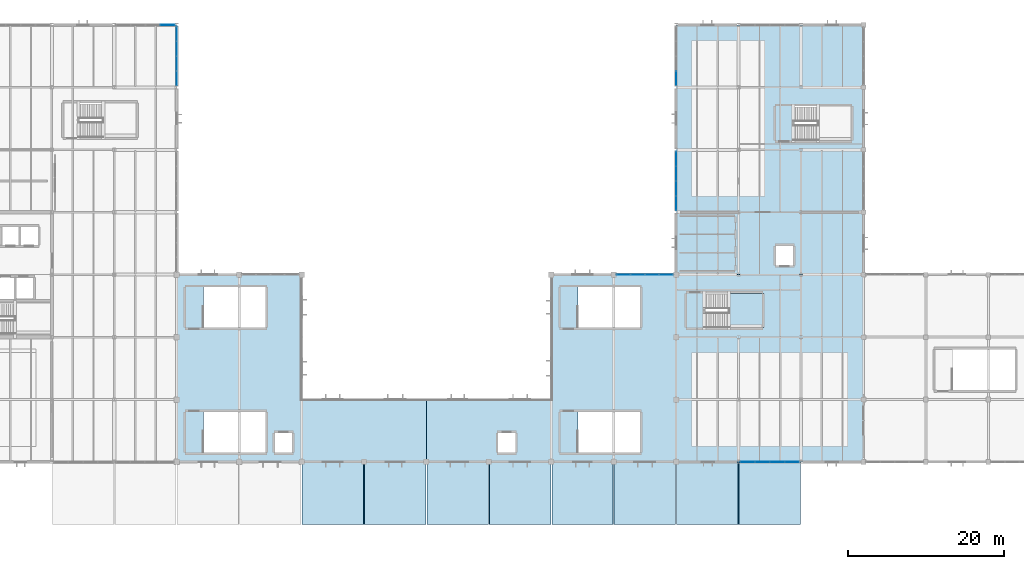
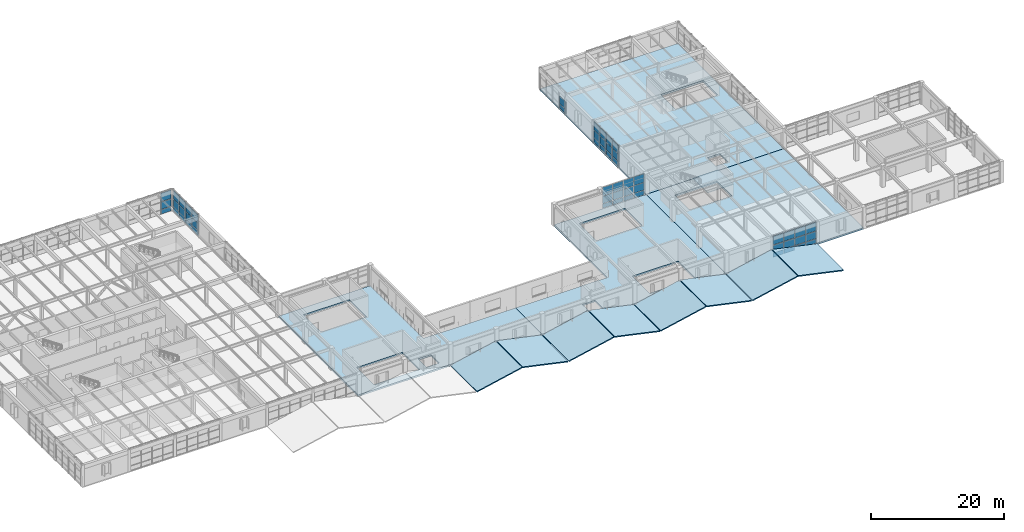
# One storey, part 32 of 48: 53 plates, 13 slabs, 7 elements without a shape of their own.
"""IFC4 building model written with IfcOpenShell, lengths in metres."""

from ifc_helpers import new_model, si_unit, direction, frame, origin, origin_2d, place, context, subcontext, project, spatial, polyline, rectangle, outline, extrude, material, layer, layer_set, type_object, element, aggregate, save


model = new_model("IFC4")

# Units and contexts
model_context = context("Model", 3, precision=1e-05, world=origin(), true_north=direction((0.0, 1.0)))
body_context = subcontext(model_context, "Body", "Model", "MODEL_VIEW")
ifc_project = project(units=[si_unit("LENGTHUNIT", "METRE"), si_unit("AREAUNIT", "SQUARE_METRE"), si_unit("VOLUMEUNIT", "CUBIC_METRE"), si_unit("PLANEANGLEUNIT", "RADIAN"), si_unit("MASSUNIT", "GRAM", prefix="KILO")], contexts=[model_context])

# Site, building, storey
site_placement = place(None, origin())
site = spatial("IfcSite", under=ifc_project, at=site_placement, CompositionType="ELEMENT")
building_placement = place(site_placement, origin())
building = spatial("IfcBuilding", under=site, at=building_placement, Name="Varnela Railside Interchange", CompositionType="ELEMENT")
storey_placement = place(building_placement, frame((0.0, 0.0, 11.199951171875)))
storey = spatial("IfcBuildingStorey", under=building, at=storey_placement, Name="L02", CompositionType="ELEMENT", Elevation=11.199951171875)

# Curtain wall, plates
ifc_material_1 = material(Name="Aluminium 6063-T6", Category="aluminium")
ifc_layer_1 = layer(ifc_material_1, 0.035888671875)
ifc_layer_set_1 = layer_set([ifc_layer_1], Name="Aluminium 6063-T6")
curtain_wall_type_1 = type_object("IfcCurtainWallType", Name="Operations Wing Facade Curtain Wall CW-03", PredefinedType="USERDEFINED", material=ifc_layer_set_1)
curtain_wall_1_placement = place(storey_placement, origin())
curtain_wall_1 = element("IfcCurtainWall", 1, at=curtain_wall_1_placement, inside=storey, type_object=curtain_wall_type_1, Name="Curtain Wall CW-03 (L02) (CW-048)", ObjectType="CURTAIN WALL", PredefinedType="USERDEFINED")
ifc_material_2 = material(Name="Glass laminated double", Category="glass")
ifc_layer_2 = layer(ifc_material_2, 0.0400390625)
ifc_layer_set_2 = layer_set([ifc_layer_2], Name="Glass laminated double")
plate_type_1 = type_object("IfcPlateType", Name="Acoustic Laminated Vision GL-03", PredefinedType="CURTAIN_PANEL", material=ifc_layer_set_2)
plate_1_placement = place(storey_placement, frame((50.837158203125, 94.0, 0.06005859375), z_axis=(0.0, 0.0, 1.0), x_axis=(1.0, 0.0, 0.0)))
plate_1 = element("IfcPlate", 2, at=plate_1_placement, type_object=plate_type_1, Name="CW-03 panel 4.1", PredefinedType="CURTAIN_PANEL", context=body_context, shape_type="SweptSolid", body=[
    extrude(rectangle(XDim=1.8115234375, YDim=0.0400390625, at=origin_2d()), origin(), (0.0, 0.0, 1.0), 0.81005859375),
])
plate_2_placement = place(storey_placement, frame((50.837158203125, 94.0, 0.93017578125), z_axis=(0.0, 0.0, 1.0), x_axis=(1.0, 0.0, 0.0)))
plate_2 = element("IfcPlate", 3, at=plate_2_placement, type_object=plate_type_1, Name="CW-03 panel 4.2", PredefinedType="CURTAIN_PANEL", context=body_context, shape_type="SweptSolid", body=[
    extrude(rectangle(XDim=1.8115234375, YDim=0.0400390625, at=origin_2d()), origin(), (0.0, 0.0, 1.0), 1.360107421875),
])
plate_3_placement = place(storey_placement, frame((50.837158203125, 94.0, 2.35009765625), z_axis=(0.0, 0.0, 1.0), x_axis=(1.0, 0.0, 0.0)))
plate_3 = element("IfcPlate", 4, at=plate_3_placement, type_object=plate_type_1, Name="CW-03 panel 4.3", PredefinedType="CURTAIN_PANEL", context=body_context, shape_type="SweptSolid", body=[
    extrude(rectangle(XDim=1.8115234375, YDim=0.0400390625, at=origin_2d()), origin(), (0.0, 0.0, 1.0), 1.590087890625),
])
aggregate(curtain_wall_1, [plate_1, plate_2, plate_3])

curtain_wall_2_placement = place(storey_placement, origin())
curtain_wall_2 = element("IfcCurtainWall", 5, at=curtain_wall_2_placement, inside=storey, type_object=curtain_wall_type_1, Name="Curtain Wall CW-03 (L02) (CW-049)", ObjectType="CURTAIN WALL", PredefinedType="USERDEFINED")
plate_4_placement = place(storey_placement, frame((52.0, 92.844482421875, 0.06005859375), z_axis=(0.0, 0.0, 1.0), x_axis=(0.0, -1.0, 0.0)))
plate_4 = element("IfcPlate", 6, at=plate_4_placement, type_object=plate_type_1, Name="CW-03 panel 1.1", PredefinedType="CURTAIN_PANEL", context=body_context, shape_type="SweptSolid", body=[
    extrude(rectangle(XDim=1.816162109375, YDim=0.0400390625, at=origin_2d()), origin(), (0.0, 0.0, 1.0), 0.81005859375),
])
plate_5_placement = place(storey_placement, frame((52.0, 92.844482421875, 0.93017578125), z_axis=(0.0, 0.0, 1.0), x_axis=(0.0, -1.0, 0.0)))
plate_5 = element("IfcPlate", 7, at=plate_5_placement, type_object=plate_type_1, Name="CW-03 panel 1.2", PredefinedType="CURTAIN_PANEL", context=body_context, shape_type="SweptSolid", body=[
    extrude(rectangle(XDim=1.816162109375, YDim=0.0400390625, at=origin_2d()), origin(), (0.0, 0.0, 1.0), 1.360107421875),
])
plate_6_placement = place(storey_placement, frame((52.0, 92.844482421875, 2.35009765625), z_axis=(0.0, 0.0, 1.0), x_axis=(0.0, -1.0, 0.0)))
plate_6 = element("IfcPlate", 8, at=plate_6_placement, type_object=plate_type_1, Name="CW-03 panel 1.3", PredefinedType="CURTAIN_PANEL", context=body_context, shape_type="SweptSolid", body=[
    extrude(rectangle(XDim=1.816162109375, YDim=0.0400390625, at=origin_2d()), origin(), (0.0, 0.0, 1.0), 1.590087890625),
])
plate_7_placement = place(storey_placement, frame((52.0, 90.953125, 0.06005859375), z_axis=(0.0, 0.0, 1.0), x_axis=(0.0, -1.0, 0.0)))
plate_7 = element("IfcPlate", 9, at=plate_7_placement, type_object=plate_type_1, Name="CW-03 panel 2.1", PredefinedType="CURTAIN_PANEL", context=body_context, shape_type="SweptSolid", body=[
    extrude(rectangle(XDim=1.84619140625, YDim=0.0400390625, at=origin_2d()), origin(), (0.0, 0.0, 1.0), 0.81005859375),
])
plate_8_placement = place(storey_placement, frame((52.0, 90.953125, 0.93017578125), z_axis=(0.0, 0.0, 1.0), x_axis=(0.0, -1.0, 0.0)))
plate_8 = element("IfcPlate", 10, at=plate_8_placement, type_object=plate_type_1, Name="CW-03 panel 2.2", PredefinedType="CURTAIN_PANEL", context=body_context, shape_type="SweptSolid", body=[
    extrude(rectangle(XDim=1.84619140625, YDim=0.0400390625, at=origin_2d()), origin(), (0.0, 0.0, 1.0), 1.360107421875),
])
plate_9_placement = place(storey_placement, frame((52.0, 90.953125, 2.35009765625), z_axis=(0.0, 0.0, 1.0), x_axis=(0.0, -1.0, 0.0)))
plate_9 = element("IfcPlate", 11, at=plate_9_placement, type_object=plate_type_1, Name="CW-03 panel 2.3", PredefinedType="CURTAIN_PANEL", context=body_context, shape_type="SweptSolid", body=[
    extrude(rectangle(XDim=1.84619140625, YDim=0.0400390625, at=origin_2d()), origin(), (0.0, 0.0, 1.0), 1.590087890625),
])
plate_10_placement = place(storey_placement, frame((52.0, 89.046875, 0.06005859375), z_axis=(0.0, 0.0, 1.0), x_axis=(0.0, -1.0, 0.0)))
plate_10 = element("IfcPlate", 12, at=plate_10_placement, type_object=plate_type_1, Name="CW-03 panel 3.1", PredefinedType="CURTAIN_PANEL", context=body_context, shape_type="SweptSolid", body=[
    extrude(rectangle(XDim=1.84619140625, YDim=0.0400390625, at=origin_2d()), origin(), (0.0, 0.0, 1.0), 0.81005859375),
])
plate_11_placement = place(storey_placement, frame((52.0, 89.046875, 0.93017578125), z_axis=(0.0, 0.0, 1.0), x_axis=(0.0, -1.0, 0.0)))
plate_11 = element("IfcPlate", 13, at=plate_11_placement, type_object=plate_type_1, Name="CW-03 panel 3.2", PredefinedType="CURTAIN_PANEL", context=body_context, shape_type="SweptSolid", body=[
    extrude(rectangle(XDim=1.84619140625, YDim=0.0400390625, at=origin_2d()), origin(), (0.0, 0.0, 1.0), 1.360107421875),
])
plate_12_placement = place(storey_placement, frame((52.0, 89.046875, 2.35009765625), z_axis=(0.0, 0.0, 1.0), x_axis=(0.0, -1.0, 0.0)))
plate_12 = element("IfcPlate", 14, at=plate_12_placement, type_object=plate_type_1, Name="CW-03 panel 3.3", PredefinedType="CURTAIN_PANEL", context=body_context, shape_type="SweptSolid", body=[
    extrude(rectangle(XDim=1.84619140625, YDim=0.0400390625, at=origin_2d()), origin(), (0.0, 0.0, 1.0), 1.590087890625),
])
plate_13_placement = place(storey_placement, frame((52.0, 87.155517578125, 0.06005859375), z_axis=(0.0, 0.0, 1.0), x_axis=(0.0, -1.0, 0.0)))
plate_13 = element("IfcPlate", 15, at=plate_13_placement, type_object=plate_type_1, Name="CW-03 panel 4.1", PredefinedType="CURTAIN_PANEL", context=body_context, shape_type="SweptSolid", body=[
    extrude(rectangle(XDim=1.816162109375, YDim=0.0400390625, at=origin_2d()), origin(), (0.0, 0.0, 1.0), 0.81005859375),
])
plate_14_placement = place(storey_placement, frame((52.0, 87.155517578125, 0.93017578125), z_axis=(0.0, 0.0, 1.0), x_axis=(0.0, -1.0, 0.0)))
plate_14 = element("IfcPlate", 16, at=plate_14_placement, type_object=plate_type_1, Name="CW-03 panel 4.2", PredefinedType="CURTAIN_PANEL", context=body_context, shape_type="SweptSolid", body=[
    extrude(rectangle(XDim=1.816162109375, YDim=0.0400390625, at=origin_2d()), origin(), (0.0, 0.0, 1.0), 1.360107421875),
])
plate_15_placement = place(storey_placement, frame((52.0, 87.155517578125, 2.35009765625), z_axis=(0.0, 0.0, 1.0), x_axis=(0.0, -1.0, 0.0)))
plate_15 = element("IfcPlate", 17, at=plate_15_placement, type_object=plate_type_1, Name="CW-03 panel 4.3", PredefinedType="CURTAIN_PANEL", context=body_context, shape_type="SweptSolid", body=[
    extrude(rectangle(XDim=1.816162109375, YDim=0.0400390625, at=origin_2d()), origin(), (0.0, 0.0, 1.0), 1.590087890625),
])
aggregate(curtain_wall_2, [plate_4, plate_5, plate_6, plate_7, plate_8, plate_9, plate_10, plate_11, plate_12, plate_13, plate_14, plate_15])

# Slabs
ifc_material_3 = material(Name="Concrete C40", Category="concrete")
ifc_layer_3 = layer(ifc_material_3, 0.300048828125)
ifc_layer_set_3 = layer_set([ifc_layer_3], Name="Concrete C40")
slab_type_1 = type_object("IfcSlabType", Name="Auditorium & Concourse Slab SL-L02", PredefinedType="FLOOR", material=ifc_layer_set_3)
slab_1_placement = place(storey_placement, frame((0.0, 0.0, -0.300048828125)))
element("IfcSlab", 18, at=slab_1_placement, inside=storey, type_object=slab_type_1, Name="Auditorium & Concourse Slab SL-L02 (L02) (SL-0129)", PredefinedType="FLOOR", context=body_context, shape_type="SweptSolid", body=[
    extrude(outline(polyline([(52.0, 38.0), (84.0, 38.0), (84.0, 46.0), (68.0, 46.0), (68.0, 62.0), (52.0, 62.0), (52.0, 38.0)]), holes=[polyline([(55.429931640625, 39.199951171875), (63.39990234375, 39.199951171875), (63.39990234375, 44.39990234375), (55.429931640625, 44.39990234375), (55.429931640625, 39.199951171875)]), polyline([(55.429931640625, 55.199951171875), (63.39990234375, 55.199951171875), (63.39990234375, 60.39990234375), (55.429931640625, 60.39990234375), (55.429931640625, 55.199951171875)]), polyline([(64.60009765625, 39.199951171875), (66.800048828125, 39.199951171875), (66.800048828125, 41.699951171875), (64.60009765625, 41.699951171875), (64.60009765625, 39.199951171875)])]), origin(), (0.0, 0.0, 1.0), 0.300048828125),
])
slab_2_placement = place(storey_placement, frame((0.0, 0.0, -0.300048828125)))
element("IfcSlab", 19, at=slab_2_placement, inside=storey, type_object=slab_type_1, Name="Auditorium & Concourse Slab SL-L02 (L02) (SL-0130)", PredefinedType="FLOOR", context=body_context, shape_type="SweptSolid", body=[
    extrude(outline(polyline([(84.0, 38.0), (116.0, 38.0), (116.0, 62.0), (100.0, 62.0), (100.0, 46.0), (84.0, 46.0), (84.0, 38.0)]), holes=[polyline([(103.429931640625, 39.199951171875), (111.39990234375, 39.199951171875), (111.39990234375, 44.39990234375), (103.429931640625, 44.39990234375), (103.429931640625, 39.199951171875)]), polyline([(103.429931640625, 55.199951171875), (111.39990234375, 55.199951171875), (111.39990234375, 60.39990234375), (103.429931640625, 60.39990234375), (103.429931640625, 55.199951171875)]), polyline([(93.199951171875, 39.199951171875), (95.39990234375, 39.199951171875), (95.39990234375, 41.699951171875), (93.199951171875, 41.699951171875), (93.199951171875, 39.199951171875)])]), origin(), (0.0, 0.0, 1.0), 0.300048828125),
])
slab_3_placement = place(storey_placement, frame((0.0, 0.0, -0.300048828125)))
element("IfcSlab", 20, at=slab_3_placement, inside=storey, type_object=slab_type_1, Name="Auditorium & Concourse Slab SL-L02 (L02) (SL-0132)", PredefinedType="FLOOR", context=body_context, shape_type="SweptSolid", body=[
    extrude(outline(polyline([(116.0, 38.0), (140.0, 38.0), (140.0, 62.0), (116.0, 62.0), (116.0, 38.0)]), holes=[polyline([(119.6298828125, 55.199951171875), (127.0, 55.199951171875), (127.0, 59.60009765625), (119.6298828125, 59.60009765625), (119.6298828125, 55.199951171875)])]), origin(), (0.0, 0.0, 1.0), 0.300048828125),
])
slab_4_placement = place(storey_placement, frame((0.0, 0.0, -0.300048828125)))
element("IfcSlab", 21, at=slab_4_placement, inside=storey, type_object=slab_type_1, Name="Auditorium & Concourse Slab SL-L02 (L02) (SL-0133)", PredefinedType="FLOOR", context=body_context, shape_type="SweptSolid", body=[
    extrude(outline(polyline([(116.0, 62.0), (140.0, 62.0), (140.0, 94.0), (116.0, 94.0), (116.0, 62.0)]), holes=[polyline([(131.030029296875, 79.199951171875), (138.39990234375, 79.199951171875), (138.39990234375, 83.60009765625), (131.030029296875, 83.60009765625), (131.030029296875, 79.199951171875)]), polyline([(128.800048828125, 63.199951171875), (131.0, 63.199951171875), (131.0, 65.699951171875), (128.800048828125, 65.699951171875), (128.800048828125, 63.199951171875)])]), origin(), (0.0, 0.0, 1.0), 0.300048828125),
])
ifc_layer_4 = layer(ifc_material_3, 0.18994140625)
ifc_layer_set_4 = layer_set([ifc_layer_4], Name="Concrete C40")
slab_type_2 = type_object("IfcSlabType", Name="Folded-Plate Bus End Canopy Shell CS-02", PredefinedType="ROOF", material=ifc_layer_set_4)
for number, where, z_axis, x_axis, name in (
    (22, (68.06005859375, 30.0, -0.10498046875), (-0.211489165579, 0.0, 0.977380341956), (0.977380341956, 0.0, 0.211489165579), "Folded-Plate Bus End Canopy Shell CS-02 (L02) (SL-0140)"),
    (23, (76.06005859375, 30.0, 1.60009765625), (0.211489165579, 0.0, 0.977380341956), (0.977380341956, 0.0, -0.211489165579), "Folded-Plate Bus End Canopy Shell CS-02 (L02) (SL-0141)"),
    (24, (84.06005859375, 30.0, -0.10498046875), (-0.211489165579, 0.0, 0.977380341956), (0.977380341956, 0.0, 0.211489165579), "Folded-Plate Bus End Canopy Shell CS-02 (L02) (SL-0142)"),
    (25, (92.06005859375, 30.0, 1.60009765625), (0.211489165579, 0.0, 0.977380341956), (0.977380341956, 0.0, -0.211489165579), "Folded-Plate Bus End Canopy Shell CS-02 (L02) (SL-0143)"),
    (26, (100.06005859375, 30.0, -0.10498046875), (-0.211489165579, 0.0, 0.977380341956), (0.977380341956, 0.0, 0.211489165579), "Folded-Plate Bus End Canopy Shell CS-02 (L02) (SL-0144)"),
    (27, (108.06005859375, 30.0, 1.60009765625), (0.211489165579, 0.0, 0.977380341956), (0.977380341956, 0.0, -0.211489165579), "Folded-Plate Bus End Canopy Shell CS-02 (L02) (SL-0145)"),
    (28, (116.06005859375, 30.0, -0.10498046875), (-0.211489165579, 0.0, 0.977380341956), (0.977380341956, 0.0, 0.211489165579), "Folded-Plate Bus End Canopy Shell CS-02 (L02) (SL-0146)"),
    (29, (124.06005859375, 30.0, 1.60009765625), (0.211489165579, 0.0, 0.977380341956), (0.977380341956, 0.0, -0.211489165579), "Folded-Plate Bus End Canopy Shell CS-02 (L02) (SL-0147)"),
):
    element("IfcSlab", number, at=place(storey_placement, frame(where, z_axis=z_axis, x_axis=x_axis)), inside=storey, type_object=slab_type_2, Name=name, PredefinedType="ROOF", context=body_context, shape_type="SweptSolid", body=[
        extrude(outline(polyline([(0.0, 0.0), (8.062248107760418, 0.0), (8.062248107760418, 8.0), (0.0, 8.0), (0.0, 0.0)])), origin(), (0.0, 0.0, -1.0), 0.18994140625),
    ])

# Curtain wall, plates
ifc_layer_5 = layer(ifc_material_1, 0.035888671875)
ifc_layer_set_5 = layer_set([ifc_layer_5], Name="Aluminium 6063-T6")
curtain_wall_type_2 = type_object("IfcCurtainWallType", Name="Concourse Triple-Height Curtain Wall CW-01", PredefinedType="USERDEFINED", material=ifc_layer_set_5)
curtain_wall_3_placement = place(storey_placement, origin())
curtain_wall_3 = element("IfcCurtainWall", 30, at=curtain_wall_3_placement, inside=storey, type_object=curtain_wall_type_2, Name="Curtain Wall CW-01 (L02) (CW-054)", ObjectType="CURTAIN WALL", PredefinedType="USERDEFINED")
ifc_layer_6 = layer(ifc_material_2, 0.02001953125)
ifc_layer_set_6 = layer_set([ifc_layer_6], Name="Glass laminated double")
plate_type_2 = type_object("IfcPlateType", Name="Low-E Vision Glazing Panel GL-01", PredefinedType="CURTAIN_PANEL", material=ifc_layer_set_6)
plate_16_placement = place(storey_placement, frame((109.27880859375, 62.0, 0.06494140625), z_axis=(0.0, 0.0, 1.0), x_axis=(1.0, 0.0, 0.0)))
plate_16 = element("IfcPlate", 31, at=plate_16_placement, type_object=plate_type_2, Name="CW-01 panel 1.1", PredefinedType="CURTAIN_PANEL", context=body_context, shape_type="SweptSolid", body=[
    extrude(rectangle(XDim=1.7275390625, YDim=0.02001953125, at=origin_2d()), origin(), (0.0, 0.0, 1.0), 0.802490234375),
])
plate_17_placement = place(storey_placement, frame((109.27880859375, 62.0, 0.9326171875), z_axis=(0.0, 0.0, 1.0), x_axis=(1.0, 0.0, 0.0)))
plate_17 = element("IfcPlate", 32, at=plate_17_placement, type_object=plate_type_2, Name="CW-01 panel 1.2", PredefinedType="CURTAIN_PANEL", context=body_context, shape_type="SweptSolid", body=[
    extrude(rectangle(XDim=1.7275390625, YDim=0.02001953125, at=origin_2d()), origin(), (0.0, 0.0, 1.0), 1.35498046875),
])
plate_18_placement = place(storey_placement, frame((109.27880859375, 62.0, 2.3525390625), z_axis=(0.0, 0.0, 1.0), x_axis=(1.0, 0.0, 0.0)))
plate_18 = element("IfcPlate", 33, at=plate_18_placement, type_object=plate_type_2, Name="CW-01 panel 1.3", PredefinedType="CURTAIN_PANEL", context=body_context, shape_type="SweptSolid", body=[
    extrude(rectangle(XDim=1.7275390625, YDim=0.02001953125, at=origin_2d()), origin(), (0.0, 0.0, 1.0), 1.58251953125),
])
plate_19_placement = place(storey_placement, frame((111.08740234375, 62.0, 0.06494140625), z_axis=(0.0, 0.0, 1.0), x_axis=(1.0, 0.0, 0.0)))
plate_19 = element("IfcPlate", 34, at=plate_19_placement, type_object=plate_type_2, Name="CW-01 panel 2.1", PredefinedType="CURTAIN_PANEL", context=body_context, shape_type="SweptSolid", body=[
    extrude(rectangle(XDim=1.760009765625, YDim=0.02001953125, at=origin_2d()), origin(), (0.0, 0.0, 1.0), 0.802490234375),
])
plate_20_placement = place(storey_placement, frame((111.08740234375, 62.0, 0.9326171875), z_axis=(0.0, 0.0, 1.0), x_axis=(1.0, 0.0, 0.0)))
plate_20 = element("IfcPlate", 35, at=plate_20_placement, type_object=plate_type_2, Name="CW-01 panel 2.2", PredefinedType="CURTAIN_PANEL", context=body_context, shape_type="SweptSolid", body=[
    extrude(rectangle(XDim=1.760009765625, YDim=0.02001953125, at=origin_2d()), origin(), (0.0, 0.0, 1.0), 1.35498046875),
])
plate_21_placement = place(storey_placement, frame((111.08740234375, 62.0, 2.3525390625), z_axis=(0.0, 0.0, 1.0), x_axis=(1.0, 0.0, 0.0)))
plate_21 = element("IfcPlate", 36, at=plate_21_placement, type_object=plate_type_2, Name="CW-01 panel 2.3", PredefinedType="CURTAIN_PANEL", context=body_context, shape_type="SweptSolid", body=[
    extrude(rectangle(XDim=1.760009765625, YDim=0.02001953125, at=origin_2d()), origin(), (0.0, 0.0, 1.0), 1.58251953125),
])
plate_22_placement = place(storey_placement, frame((112.91259765625, 62.0, 0.06494140625), z_axis=(0.0, 0.0, 1.0), x_axis=(1.0, 0.0, 0.0)))
plate_22 = element("IfcPlate", 37, at=plate_22_placement, type_object=plate_type_2, Name="CW-01 panel 3.1", PredefinedType="CURTAIN_PANEL", context=body_context, shape_type="SweptSolid", body=[
    extrude(rectangle(XDim=1.760009765625, YDim=0.02001953125, at=origin_2d()), origin(), (0.0, 0.0, 1.0), 0.802490234375),
])
plate_23_placement = place(storey_placement, frame((112.91259765625, 62.0, 0.9326171875), z_axis=(0.0, 0.0, 1.0), x_axis=(1.0, 0.0, 0.0)))
plate_23 = element("IfcPlate", 38, at=plate_23_placement, type_object=plate_type_2, Name="CW-01 panel 3.2", PredefinedType="CURTAIN_PANEL", context=body_context, shape_type="SweptSolid", body=[
    extrude(rectangle(XDim=1.760009765625, YDim=0.02001953125, at=origin_2d()), origin(), (0.0, 0.0, 1.0), 1.35498046875),
])
plate_24_placement = place(storey_placement, frame((112.91259765625, 62.0, 2.3525390625), z_axis=(0.0, 0.0, 1.0), x_axis=(1.0, 0.0, 0.0)))
plate_24 = element("IfcPlate", 39, at=plate_24_placement, type_object=plate_type_2, Name="CW-01 panel 3.3", PredefinedType="CURTAIN_PANEL", context=body_context, shape_type="SweptSolid", body=[
    extrude(rectangle(XDim=1.760009765625, YDim=0.02001953125, at=origin_2d()), origin(), (0.0, 0.0, 1.0), 1.58251953125),
])
plate_25_placement = place(storey_placement, frame((114.72119140625, 62.0, 0.06494140625), z_axis=(0.0, 0.0, 1.0), x_axis=(1.0, 0.0, 0.0)))
plate_25 = element("IfcPlate", 40, at=plate_25_placement, type_object=plate_type_2, Name="CW-01 panel 4.1", PredefinedType="CURTAIN_PANEL", context=body_context, shape_type="SweptSolid", body=[
    extrude(rectangle(XDim=1.7275390625, YDim=0.02001953125, at=origin_2d()), origin(), (0.0, 0.0, 1.0), 0.802490234375),
])
plate_26_placement = place(storey_placement, frame((114.72119140625, 62.0, 0.9326171875), z_axis=(0.0, 0.0, 1.0), x_axis=(1.0, 0.0, 0.0)))
plate_26 = element("IfcPlate", 41, at=plate_26_placement, type_object=plate_type_2, Name="CW-01 panel 4.2", PredefinedType="CURTAIN_PANEL", context=body_context, shape_type="SweptSolid", body=[
    extrude(rectangle(XDim=1.7275390625, YDim=0.02001953125, at=origin_2d()), origin(), (0.0, 0.0, 1.0), 1.35498046875),
])
plate_27_placement = place(storey_placement, frame((114.72119140625, 62.0, 2.3525390625), z_axis=(0.0, 0.0, 1.0), x_axis=(1.0, 0.0, 0.0)))
plate_27 = element("IfcPlate", 42, at=plate_27_placement, type_object=plate_type_2, Name="CW-01 panel 4.3", PredefinedType="CURTAIN_PANEL", context=body_context, shape_type="SweptSolid", body=[
    extrude(rectangle(XDim=1.7275390625, YDim=0.02001953125, at=origin_2d()), origin(), (0.0, 0.0, 1.0), 1.58251953125),
])
aggregate(curtain_wall_3, [plate_16, plate_17, plate_18, plate_19, plate_20, plate_21, plate_22, plate_23, plate_24, plate_25, plate_26, plate_27])

ifc_layer_7 = layer(ifc_material_1, 0.035888671875)
ifc_layer_set_7 = layer_set([ifc_layer_7], Name="Aluminium 6063-T6")
curtain_wall_type_3 = type_object("IfcCurtainWallType", Name="Study Pavilion Gallery Curtain Wall CW-02", PredefinedType="USERDEFINED", material=ifc_layer_set_7)
curtain_wall_4_placement = place(storey_placement, origin())
curtain_wall_4 = element("IfcCurtainWall", 43, at=curtain_wall_4_placement, inside=storey, type_object=curtain_wall_type_3, Name="Curtain Wall CW-02 (L02) (CW-055)", ObjectType="CURTAIN WALL", PredefinedType="USERDEFINED")
plate_28_placement = place(storey_placement, frame((116.0, 71.155517578125, 0.06005859375), z_axis=(0.0, 0.0, 1.0), x_axis=(0.0, 1.0, 0.0)))
plate_28 = element("IfcPlate", 44, at=plate_28_placement, type_object=plate_type_2, Name="CW-02 panel 1.1", PredefinedType="CURTAIN_PANEL", context=body_context, shape_type="SweptSolid", body=[
    extrude(rectangle(XDim=1.816162109375, YDim=0.02001953125, at=origin_2d()), origin(), (0.0, 0.0, 1.0), 0.81005859375),
])
plate_29_placement = place(storey_placement, frame((116.0, 71.155517578125, 0.93017578125), z_axis=(0.0, 0.0, 1.0), x_axis=(0.0, 1.0, 0.0)))
plate_29 = element("IfcPlate", 45, at=plate_29_placement, type_object=plate_type_2, Name="CW-02 panel 1.2", PredefinedType="CURTAIN_PANEL", context=body_context, shape_type="SweptSolid", body=[
    extrude(rectangle(XDim=1.816162109375, YDim=0.02001953125, at=origin_2d()), origin(), (0.0, 0.0, 1.0), 1.360107421875),
])
plate_30_placement = place(storey_placement, frame((116.0, 71.155517578125, 2.35009765625), z_axis=(0.0, 0.0, 1.0), x_axis=(0.0, 1.0, 0.0)))
plate_30 = element("IfcPlate", 46, at=plate_30_placement, type_object=plate_type_2, Name="CW-02 panel 1.3", PredefinedType="CURTAIN_PANEL", context=body_context, shape_type="SweptSolid", body=[
    extrude(rectangle(XDim=1.816162109375, YDim=0.02001953125, at=origin_2d()), origin(), (0.0, 0.0, 1.0), 1.590087890625),
])
plate_31_placement = place(storey_placement, frame((116.0, 73.046875, 0.06005859375), z_axis=(0.0, 0.0, 1.0), x_axis=(0.0, 1.0, 0.0)))
plate_31 = element("IfcPlate", 47, at=plate_31_placement, type_object=plate_type_2, Name="CW-02 panel 2.1", PredefinedType="CURTAIN_PANEL", context=body_context, shape_type="SweptSolid", body=[
    extrude(rectangle(XDim=1.84619140625, YDim=0.02001953125, at=origin_2d()), origin(), (0.0, 0.0, 1.0), 0.81005859375),
])
plate_32_placement = place(storey_placement, frame((116.0, 73.046875, 0.93017578125), z_axis=(0.0, 0.0, 1.0), x_axis=(0.0, 1.0, 0.0)))
plate_32 = element("IfcPlate", 48, at=plate_32_placement, type_object=plate_type_2, Name="CW-02 panel 2.2", PredefinedType="CURTAIN_PANEL", context=body_context, shape_type="SweptSolid", body=[
    extrude(rectangle(XDim=1.84619140625, YDim=0.02001953125, at=origin_2d()), origin(), (0.0, 0.0, 1.0), 1.360107421875),
])
plate_33_placement = place(storey_placement, frame((116.0, 73.046875, 2.35009765625), z_axis=(0.0, 0.0, 1.0), x_axis=(0.0, 1.0, 0.0)))
plate_33 = element("IfcPlate", 49, at=plate_33_placement, type_object=plate_type_2, Name="CW-02 panel 2.3", PredefinedType="CURTAIN_PANEL", context=body_context, shape_type="SweptSolid", body=[
    extrude(rectangle(XDim=1.84619140625, YDim=0.02001953125, at=origin_2d()), origin(), (0.0, 0.0, 1.0), 1.590087890625),
])
plate_34_placement = place(storey_placement, frame((116.0, 74.953125, 0.06005859375), z_axis=(0.0, 0.0, 1.0), x_axis=(0.0, 1.0, 0.0)))
plate_34 = element("IfcPlate", 50, at=plate_34_placement, type_object=plate_type_2, Name="CW-02 panel 3.1", PredefinedType="CURTAIN_PANEL", context=body_context, shape_type="SweptSolid", body=[
    extrude(rectangle(XDim=1.84619140625, YDim=0.02001953125, at=origin_2d()), origin(), (0.0, 0.0, 1.0), 0.81005859375),
])
plate_35_placement = place(storey_placement, frame((116.0, 74.953125, 0.93017578125), z_axis=(0.0, 0.0, 1.0), x_axis=(0.0, 1.0, 0.0)))
plate_35 = element("IfcPlate", 51, at=plate_35_placement, type_object=plate_type_2, Name="CW-02 panel 3.2", PredefinedType="CURTAIN_PANEL", context=body_context, shape_type="SweptSolid", body=[
    extrude(rectangle(XDim=1.84619140625, YDim=0.02001953125, at=origin_2d()), origin(), (0.0, 0.0, 1.0), 1.360107421875),
])
plate_36_placement = place(storey_placement, frame((116.0, 74.953125, 2.35009765625), z_axis=(0.0, 0.0, 1.0), x_axis=(0.0, 1.0, 0.0)))
plate_36 = element("IfcPlate", 52, at=plate_36_placement, type_object=plate_type_2, Name="CW-02 panel 3.3", PredefinedType="CURTAIN_PANEL", context=body_context, shape_type="SweptSolid", body=[
    extrude(rectangle(XDim=1.84619140625, YDim=0.02001953125, at=origin_2d()), origin(), (0.0, 0.0, 1.0), 1.590087890625),
])
plate_37_placement = place(storey_placement, frame((116.0, 76.844482421875, 0.06005859375), z_axis=(0.0, 0.0, 1.0), x_axis=(0.0, 1.0, 0.0)))
plate_37 = element("IfcPlate", 53, at=plate_37_placement, type_object=plate_type_2, Name="CW-02 panel 4.1", PredefinedType="CURTAIN_PANEL", context=body_context, shape_type="SweptSolid", body=[
    extrude(rectangle(XDim=1.816162109375, YDim=0.02001953125, at=origin_2d()), origin(), (0.0, 0.0, 1.0), 0.81005859375),
])
plate_38_placement = place(storey_placement, frame((116.0, 76.844482421875, 0.93017578125), z_axis=(0.0, 0.0, 1.0), x_axis=(0.0, 1.0, 0.0)))
plate_38 = element("IfcPlate", 54, at=plate_38_placement, type_object=plate_type_2, Name="CW-02 panel 4.2", PredefinedType="CURTAIN_PANEL", context=body_context, shape_type="SweptSolid", body=[
    extrude(rectangle(XDim=1.816162109375, YDim=0.02001953125, at=origin_2d()), origin(), (0.0, 0.0, 1.0), 1.360107421875),
])
plate_39_placement = place(storey_placement, frame((116.0, 76.844482421875, 2.35009765625), z_axis=(0.0, 0.0, 1.0), x_axis=(0.0, 1.0, 0.0)))
plate_39 = element("IfcPlate", 55, at=plate_39_placement, type_object=plate_type_2, Name="CW-02 panel 4.3", PredefinedType="CURTAIN_PANEL", context=body_context, shape_type="SweptSolid", body=[
    extrude(rectangle(XDim=1.816162109375, YDim=0.02001953125, at=origin_2d()), origin(), (0.0, 0.0, 1.0), 1.590087890625),
])
aggregate(curtain_wall_4, [plate_28, plate_29, plate_30, plate_31, plate_32, plate_33, plate_34, plate_35, plate_36, plate_37, plate_38, plate_39])

curtain_wall_5_placement = place(storey_placement, origin())
curtain_wall_5 = element("IfcCurtainWall", 56, at=curtain_wall_5_placement, inside=storey, type_object=curtain_wall_type_3, Name="Curtain Wall CW-02 (L02) (CW-056)", ObjectType="CURTAIN WALL", PredefinedType="USERDEFINED")
plate_40_placement = place(storey_placement, frame((116.0, 87.155517578125, 0.06005859375), z_axis=(0.0, 0.0, 1.0), x_axis=(0.0, 1.0, 0.0)))
plate_40 = element("IfcPlate", 57, at=plate_40_placement, type_object=plate_type_2, Name="CW-02 panel 1.1", PredefinedType="CURTAIN_PANEL", context=body_context, shape_type="SweptSolid", body=[
    extrude(rectangle(XDim=1.816162109375, YDim=0.02001953125, at=origin_2d()), origin(), (0.0, 0.0, 1.0), 0.81005859375),
])
plate_41_placement = place(storey_placement, frame((116.0, 87.155517578125, 0.93017578125), z_axis=(0.0, 0.0, 1.0), x_axis=(0.0, 1.0, 0.0)))
plate_41 = element("IfcPlate", 58, at=plate_41_placement, type_object=plate_type_2, Name="CW-02 panel 1.2", PredefinedType="CURTAIN_PANEL", context=body_context, shape_type="SweptSolid", body=[
    extrude(rectangle(XDim=1.816162109375, YDim=0.02001953125, at=origin_2d()), origin(), (0.0, 0.0, 1.0), 1.360107421875),
])
aggregate(curtain_wall_5, [plate_40, plate_41])

curtain_wall_6_placement = place(storey_placement, origin())
curtain_wall_6 = element("IfcCurtainWall", 59, at=curtain_wall_6_placement, inside=storey, type_object=curtain_wall_type_3, Name="Curtain Wall CW-02 (L02) (CW-066)", ObjectType="CURTAIN WALL", PredefinedType="USERDEFINED")
plate_42_placement = place(storey_placement, frame((130.837158203125, 38.0, 0.06005859375), z_axis=(0.0, 0.0, 1.0), x_axis=(-1.0, 0.0, 0.0)))
plate_42 = element("IfcPlate", 60, at=plate_42_placement, type_object=plate_type_2, Name="CW-02 panel 1.1", PredefinedType="CURTAIN_PANEL", context=body_context, shape_type="SweptSolid", body=[
    extrude(rectangle(XDim=1.8115234375, YDim=0.02001953125, at=origin_2d()), origin(), (0.0, 0.0, 1.0), 0.81005859375),
])
plate_43_placement = place(storey_placement, frame((130.837158203125, 38.0, 0.93017578125), z_axis=(0.0, 0.0, 1.0), x_axis=(-1.0, 0.0, 0.0)))
plate_43 = element("IfcPlate", 61, at=plate_43_placement, type_object=plate_type_2, Name="CW-02 panel 1.2", PredefinedType="CURTAIN_PANEL", context=body_context, shape_type="SweptSolid", body=[
    extrude(rectangle(XDim=1.8115234375, YDim=0.02001953125, at=origin_2d()), origin(), (0.0, 0.0, 1.0), 1.360107421875),
])
plate_44_placement = place(storey_placement, frame((130.837158203125, 38.0, 2.35009765625), z_axis=(0.0, 0.0, 1.0), x_axis=(-1.0, 0.0, 0.0)))
plate_44 = element("IfcPlate", 62, at=plate_44_placement, type_object=plate_type_2, Name="CW-02 panel 1.3", PredefinedType="CURTAIN_PANEL", context=body_context, shape_type="SweptSolid", body=[
    extrude(rectangle(XDim=1.8115234375, YDim=0.02001953125, at=origin_2d()), origin(), (0.0, 0.0, 1.0), 1.590087890625),
])
plate_45_placement = place(storey_placement, frame((128.95068359375, 38.0, 0.06005859375), z_axis=(0.0, 0.0, 1.0), x_axis=(-1.0, 0.0, 0.0)))
plate_45 = element("IfcPlate", 63, at=plate_45_placement, type_object=plate_type_2, Name="CW-02 panel 2.1", PredefinedType="CURTAIN_PANEL", context=body_context, shape_type="SweptSolid", body=[
    extrude(rectangle(XDim=1.841552734375, YDim=0.02001953125, at=origin_2d()), origin(), (0.0, 0.0, 1.0), 0.81005859375),
])
plate_46_placement = place(storey_placement, frame((128.95068359375, 38.0, 0.93017578125), z_axis=(0.0, 0.0, 1.0), x_axis=(-1.0, 0.0, 0.0)))
plate_46 = element("IfcPlate", 64, at=plate_46_placement, type_object=plate_type_2, Name="CW-02 panel 2.2", PredefinedType="CURTAIN_PANEL", context=body_context, shape_type="SweptSolid", body=[
    extrude(rectangle(XDim=1.841552734375, YDim=0.02001953125, at=origin_2d()), origin(), (0.0, 0.0, 1.0), 1.360107421875),
])
plate_47_placement = place(storey_placement, frame((128.95068359375, 38.0, 2.35009765625), z_axis=(0.0, 0.0, 1.0), x_axis=(-1.0, 0.0, 0.0)))
plate_47 = element("IfcPlate", 65, at=plate_47_placement, type_object=plate_type_2, Name="CW-02 panel 2.3", PredefinedType="CURTAIN_PANEL", context=body_context, shape_type="SweptSolid", body=[
    extrude(rectangle(XDim=1.841552734375, YDim=0.02001953125, at=origin_2d()), origin(), (0.0, 0.0, 1.0), 1.590087890625),
])
plate_48_placement = place(storey_placement, frame((127.04931640625, 38.0, 0.06005859375), z_axis=(0.0, 0.0, 1.0), x_axis=(-1.0, 0.0, 0.0)))
plate_48 = element("IfcPlate", 66, at=plate_48_placement, type_object=plate_type_2, Name="CW-02 panel 3.1", PredefinedType="CURTAIN_PANEL", context=body_context, shape_type="SweptSolid", body=[
    extrude(rectangle(XDim=1.841552734375, YDim=0.02001953125, at=origin_2d()), origin(), (0.0, 0.0, 1.0), 0.81005859375),
])
plate_49_placement = place(storey_placement, frame((127.04931640625, 38.0, 0.93017578125), z_axis=(0.0, 0.0, 1.0), x_axis=(-1.0, 0.0, 0.0)))
plate_49 = element("IfcPlate", 67, at=plate_49_placement, type_object=plate_type_2, Name="CW-02 panel 3.2", PredefinedType="CURTAIN_PANEL", context=body_context, shape_type="SweptSolid", body=[
    extrude(rectangle(XDim=1.841552734375, YDim=0.02001953125, at=origin_2d()), origin(), (0.0, 0.0, 1.0), 1.360107421875),
])
plate_50_placement = place(storey_placement, frame((127.04931640625, 38.0, 2.35009765625), z_axis=(0.0, 0.0, 1.0), x_axis=(-1.0, 0.0, 0.0)))
plate_50 = element("IfcPlate", 68, at=plate_50_placement, type_object=plate_type_2, Name="CW-02 panel 3.3", PredefinedType="CURTAIN_PANEL", context=body_context, shape_type="SweptSolid", body=[
    extrude(rectangle(XDim=1.841552734375, YDim=0.02001953125, at=origin_2d()), origin(), (0.0, 0.0, 1.0), 1.590087890625),
])
plate_51_placement = place(storey_placement, frame((125.162841796875, 38.0, 0.06005859375), z_axis=(0.0, 0.0, 1.0), x_axis=(-1.0, 0.0, 0.0)))
plate_51 = element("IfcPlate", 69, at=plate_51_placement, type_object=plate_type_2, Name="CW-02 panel 4.1", PredefinedType="CURTAIN_PANEL", context=body_context, shape_type="SweptSolid", body=[
    extrude(rectangle(XDim=1.8115234375, YDim=0.02001953125, at=origin_2d()), origin(), (0.0, 0.0, 1.0), 0.81005859375),
])
plate_52_placement = place(storey_placement, frame((125.162841796875, 38.0, 0.93017578125), z_axis=(0.0, 0.0, 1.0), x_axis=(-1.0, 0.0, 0.0)))
plate_52 = element("IfcPlate", 70, at=plate_52_placement, type_object=plate_type_2, Name="CW-02 panel 4.2", PredefinedType="CURTAIN_PANEL", context=body_context, shape_type="SweptSolid", body=[
    extrude(rectangle(XDim=1.8115234375, YDim=0.02001953125, at=origin_2d()), origin(), (0.0, 0.0, 1.0), 1.360107421875),
])
plate_53_placement = place(storey_placement, frame((125.162841796875, 38.0, 2.35009765625), z_axis=(0.0, 0.0, 1.0), x_axis=(-1.0, 0.0, 0.0)))
plate_53 = element("IfcPlate", 71, at=plate_53_placement, type_object=plate_type_2, Name="CW-02 panel 4.3", PredefinedType="CURTAIN_PANEL", context=body_context, shape_type="SweptSolid", body=[
    extrude(rectangle(XDim=1.8115234375, YDim=0.02001953125, at=origin_2d()), origin(), (0.0, 0.0, 1.0), 1.590087890625),
])
aggregate(curtain_wall_6, [plate_42, plate_43, plate_44, plate_45, plate_46, plate_47, plate_48, plate_49, plate_50, plate_51, plate_52, plate_53])

# Stair, slab
stair_type = type_object("IfcStairType", Name="Study Pavilion Stair ST-180", PredefinedType="TWO_STRAIGHT_RUN_STAIR", material=ifc_material_3)
stair_placement = place(storey_placement, origin())
stair = element("IfcStair", 72, at=stair_placement, inside=storey, type_object=stair_type, Name="Stair ST-E1 (L02) (SF-157)", PredefinedType="TWO_STRAIGHT_RUN_STAIR")
ifc_layer_8 = layer(ifc_material_3, 0.159912109375)
ifc_layer_set_8 = layer_set([ifc_layer_8], Name="Concrete C40")
slab_type_3 = type_object("IfcSlabType", Name="Stair Half-Landing Slab SL-LD", PredefinedType="LANDING", material=ifc_layer_set_8)
slab_5_placement = place(storey_placement, frame((0.0, 0.0, 1.93994140625)))
slab_5 = element("IfcSlab", 73, at=slab_5_placement, type_object=slab_type_3, Name="ST-E1 landing 1 (SL-0148)", PredefinedType="LANDING", context=body_context, shape_type="SweptSolid", body=[
    extrude(outline(polyline([(122.760009765625, 55.199951171875), (127.260009765625, 55.199951171875), (127.260009765625, 59.60009765625), (122.760009765625, 59.60009765625), (122.760009765625, 55.199951171875)])), origin(), (0.0, 0.0, 1.0), 0.16015625),
])
aggregate(stair, [slab_5])

save(model, "model.ifc")
